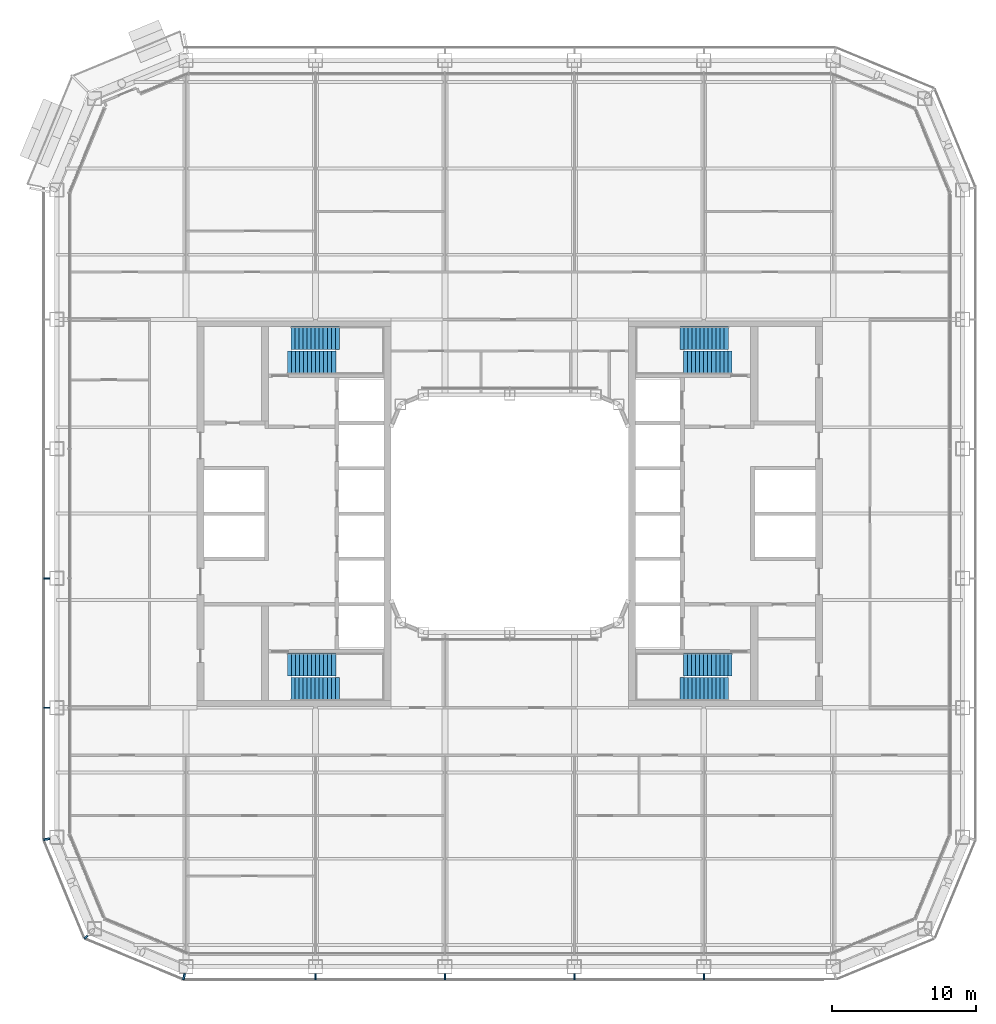
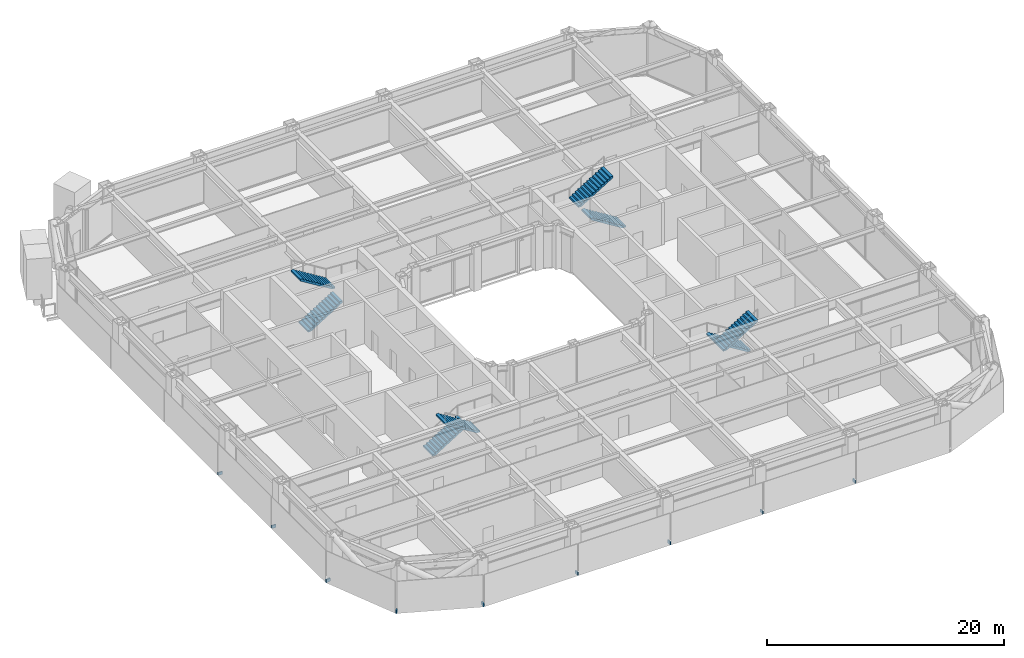
# One storey, part 16 of 28: 9 discrete accessories, 8 stair flights, 4 elements without a shape of their own.
"""IFC4 building model written with IfcOpenShell, lengths in metres."""

from ifc_helpers import new_model, si_unit, direction, frame, origin, origin_2d, place, context, subcontext, project, spatial, polyline, rectangle, outline, extrude, material, type_object, element, aggregate, save


model = new_model("IFC4")

# Units and contexts
model_context = context("Model", 3, precision=1e-05, world=origin(), true_north=direction((0.0, 1.0)))
body_context = subcontext(model_context, "Body", "Model", "MODEL_VIEW")
ifc_project = project(units=[si_unit("LENGTHUNIT", "METRE"), si_unit("AREAUNIT", "SQUARE_METRE"), si_unit("VOLUMEUNIT", "CUBIC_METRE"), si_unit("PLANEANGLEUNIT", "RADIAN"), si_unit("MASSUNIT", "GRAM", prefix="KILO")], contexts=[model_context])

# Site, building, storey
site_placement = place(None, origin())
site = spatial("IfcSite", under=ifc_project, at=site_placement, CompositionType="ELEMENT")
building_placement = place(site_placement, origin())
building = spatial("IfcBuilding", under=site, at=building_placement, Name="Siwar Civic Tower", CompositionType="ELEMENT")
storey_placement = place(building_placement, frame((0.0, 0.0, 85.199951171875)))
storey = spatial("IfcBuildingStorey", under=building, at=storey_placement, Name="L18", CompositionType="ELEMENT", Elevation=85.199951171875)

# Stair, stair flights
ifc_material_1 = material(Name="Concrete C40/50", Category="concrete")
stair_type = type_object("IfcStairType", Name="CORE-STAIR", PredefinedType="TWO_STRAIGHT_RUN_STAIR", material=ifc_material_1)
stair_1_placement = place(storey_placement, origin())
stair_1 = element("IfcStair", 1, at=stair_1_placement, inside=storey, type_object=stair_type, Name="Exit stair ST1", PredefinedType="TWO_STRAIGHT_RUN_STAIR")
ifc_material_2 = material(Name="Concrete C40/50", Category="concrete")
stair_flight_type = type_object("IfcStairFlightType", Name="CORE-STAIR-FLIGHT", PredefinedType="STRAIGHT", material=ifc_material_2)
stair_flight_1_placement = place(storey_placement, frame((-15.449951171875, 10.5, 0.0), z_axis=(0.0, 0.0, 1.0), x_axis=(1.0, 0.0, 0.0)))
stair_flight_1 = element("IfcStairFlight", 2, at=stair_flight_1_placement, type_object=stair_flight_type, Name="ST1 flight 1", NumberOfRisers=13, NumberOfTreads=12, PredefinedType="STRAIGHT", RiserHeight=0.173076923, TreadLength=0.28, context=body_context, shape_type="SweptSolid", body=[
    extrude(outline(polyline([(0.0, 0.0), (0.0, 0.173095703125), (0.280029296875, 0.173095703125), (0.280029296875, 0.34619140625), (0.56005859375, 0.34619140625), (0.56005859375, 0.519287109375), (0.840087890625, 0.519287109375), (0.840087890625, 0.6923828125), (1.1201171875, 0.6923828125), (1.1201171875, 0.865478515625), (1.39990234375, 0.865478515625), (1.39990234375, 1.03857421875), (1.679931640625, 1.03857421875), (1.679931640625, 1.21142578125), (1.9599609375, 1.21142578125), (1.9599609375, 1.384521484375), (2.239990234375, 1.384521484375), (2.239990234375, 1.5576171875), (2.52001953125, 1.5576171875), (2.52001953125, 1.730712890625), (2.800048828125, 1.730712890625), (2.800048828125, 1.90380859375), (3.080078125, 1.90380859375), (3.080078125, 2.076904296875), (3.360107421875, 2.076904296875), (3.360107421875, 2.25), (3.360107421875, 1.900634765625), (0.28515625, 0.0), (0.0, 0.0)])), frame((0.0, 0.800048828125, 0.0), z_axis=(0.0, -1.0, 0.0), x_axis=(1.0, 0.0, 0.0)), (0.0, 0.0, 1.0), 1.60009765625),
])
stair_flight_2_placement = place(storey_placement, frame((-11.840087890625, 12.199951171875, 2.25), z_axis=(0.0, 0.0, 1.0), x_axis=(-1.0, 0.0, 0.0)))
stair_flight_2 = element("IfcStairFlight", 3, at=stair_flight_2_placement, type_object=stair_flight_type, Name="ST1 flight 2", NumberOfRisers=13, NumberOfTreads=12, PredefinedType="STRAIGHT", RiserHeight=0.173076923, TreadLength=0.28, context=body_context, shape_type="SweptSolid", body=[
    extrude(outline(polyline([(0.0, 0.0), (0.0, 0.173095703125), (0.280029296875, 0.173095703125), (0.280029296875, 0.34619140625), (0.56005859375, 0.34619140625), (0.56005859375, 0.519287109375), (0.840087890625, 0.519287109375), (0.840087890625, 0.6923828125), (1.1201171875, 0.6923828125), (1.1201171875, 0.865478515625), (1.39990234375, 0.865478515625), (1.39990234375, 1.03857421875), (1.679931640625, 1.03857421875), (1.679931640625, 1.21142578125), (1.9599609375, 1.21142578125), (1.9599609375, 1.384521484375), (2.239990234375, 1.384521484375), (2.239990234375, 1.5576171875), (2.52001953125, 1.5576171875), (2.52001953125, 1.730712890625), (2.800048828125, 1.730712890625), (2.800048828125, 1.90380859375), (3.080078125, 1.90380859375), (3.080078125, 2.076904296875), (3.360107421875, 2.076904296875), (3.360107421875, 2.25), (3.360107421875, 1.900634765625), (0.28515625, 0.0), (0.0, 0.0)])), frame((0.0, 0.800048828125, 0.0), z_axis=(0.0, -1.0, 0.0), x_axis=(1.0, 0.0, 0.0)), (0.0, 0.0, 1.0), 1.60009765625),
])
aggregate(stair_1, [stair_flight_1, stair_flight_2])

stair_2_placement = place(storey_placement, origin())
stair_2 = element("IfcStair", 4, at=stair_2_placement, inside=storey, type_object=stair_type, Name="Exit stair ST2", PredefinedType="TWO_STRAIGHT_RUN_STAIR")
stair_flight_3_placement = place(storey_placement, frame((-15.449951171875, -10.5, 0.0), z_axis=(0.0, 0.0, 1.0), x_axis=(1.0, 0.0, 0.0)))
stair_flight_3 = element("IfcStairFlight", 5, at=stair_flight_3_placement, type_object=stair_flight_type, Name="ST2 flight 1", NumberOfRisers=13, NumberOfTreads=12, PredefinedType="STRAIGHT", RiserHeight=0.173076923, TreadLength=0.28, context=body_context, shape_type="SweptSolid", body=[
    extrude(outline(polyline([(0.0, 0.0), (0.0, 0.173095703125), (0.280029296875, 0.173095703125), (0.280029296875, 0.34619140625), (0.56005859375, 0.34619140625), (0.56005859375, 0.519287109375), (0.840087890625, 0.519287109375), (0.840087890625, 0.6923828125), (1.1201171875, 0.6923828125), (1.1201171875, 0.865478515625), (1.39990234375, 0.865478515625), (1.39990234375, 1.03857421875), (1.679931640625, 1.03857421875), (1.679931640625, 1.21142578125), (1.9599609375, 1.21142578125), (1.9599609375, 1.384521484375), (2.239990234375, 1.384521484375), (2.239990234375, 1.5576171875), (2.52001953125, 1.5576171875), (2.52001953125, 1.730712890625), (2.800048828125, 1.730712890625), (2.800048828125, 1.90380859375), (3.080078125, 1.90380859375), (3.080078125, 2.076904296875), (3.360107421875, 2.076904296875), (3.360107421875, 2.25), (3.360107421875, 1.900634765625), (0.28515625, 0.0), (0.0, 0.0)])), frame((0.0, 0.800048828125, 0.0), z_axis=(0.0, -1.0, 0.0), x_axis=(1.0, 0.0, 0.0)), (0.0, 0.0, 1.0), 1.60009765625),
])
stair_flight_4_placement = place(storey_placement, frame((-11.840087890625, -12.199951171875, 2.25), z_axis=(0.0, 0.0, 1.0), x_axis=(-1.0, 0.0, 0.0)))
stair_flight_4 = element("IfcStairFlight", 6, at=stair_flight_4_placement, type_object=stair_flight_type, Name="ST2 flight 2", NumberOfRisers=13, NumberOfTreads=12, PredefinedType="STRAIGHT", RiserHeight=0.173076923, TreadLength=0.28, context=body_context, shape_type="SweptSolid", body=[
    extrude(outline(polyline([(0.0, 0.0), (0.0, 0.173095703125), (0.280029296875, 0.173095703125), (0.280029296875, 0.34619140625), (0.56005859375, 0.34619140625), (0.56005859375, 0.519287109375), (0.840087890625, 0.519287109375), (0.840087890625, 0.6923828125), (1.1201171875, 0.6923828125), (1.1201171875, 0.865478515625), (1.39990234375, 0.865478515625), (1.39990234375, 1.03857421875), (1.679931640625, 1.03857421875), (1.679931640625, 1.21142578125), (1.9599609375, 1.21142578125), (1.9599609375, 1.384521484375), (2.239990234375, 1.384521484375), (2.239990234375, 1.5576171875), (2.52001953125, 1.5576171875), (2.52001953125, 1.730712890625), (2.800048828125, 1.730712890625), (2.800048828125, 1.90380859375), (3.080078125, 1.90380859375), (3.080078125, 2.076904296875), (3.360107421875, 2.076904296875), (3.360107421875, 2.25), (3.360107421875, 1.900634765625), (0.28515625, 0.0), (0.0, 0.0)])), frame((0.0, 0.800048828125, 0.0), z_axis=(0.0, -1.0, 0.0), x_axis=(1.0, 0.0, 0.0)), (0.0, 0.0, 1.0), 1.60009765625),
])
aggregate(stair_2, [stair_flight_3, stair_flight_4])

stair_3_placement = place(storey_placement, origin())
stair_3 = element("IfcStair", 7, at=stair_3_placement, inside=storey, type_object=stair_type, Name="Exit stair ST3", PredefinedType="TWO_STRAIGHT_RUN_STAIR")
stair_flight_5_placement = place(storey_placement, frame((15.449951171875, 10.5, 0.0), z_axis=(0.0, 0.0, 1.0), x_axis=(-1.0, 0.0, 0.0)))
stair_flight_5 = element("IfcStairFlight", 8, at=stair_flight_5_placement, type_object=stair_flight_type, Name="ST3 flight 1", NumberOfRisers=13, NumberOfTreads=12, PredefinedType="STRAIGHT", RiserHeight=0.173076923, TreadLength=0.28, context=body_context, shape_type="SweptSolid", body=[
    extrude(outline(polyline([(0.0, 0.0), (0.0, 0.173095703125), (0.280029296875, 0.173095703125), (0.280029296875, 0.34619140625), (0.56005859375, 0.34619140625), (0.56005859375, 0.519287109375), (0.840087890625, 0.519287109375), (0.840087890625, 0.6923828125), (1.1201171875, 0.6923828125), (1.1201171875, 0.865478515625), (1.39990234375, 0.865478515625), (1.39990234375, 1.03857421875), (1.679931640625, 1.03857421875), (1.679931640625, 1.21142578125), (1.9599609375, 1.21142578125), (1.9599609375, 1.384521484375), (2.239990234375, 1.384521484375), (2.239990234375, 1.5576171875), (2.52001953125, 1.5576171875), (2.52001953125, 1.730712890625), (2.800048828125, 1.730712890625), (2.800048828125, 1.90380859375), (3.080078125, 1.90380859375), (3.080078125, 2.076904296875), (3.360107421875, 2.076904296875), (3.360107421875, 2.25), (3.360107421875, 1.900634765625), (0.28515625, 0.0), (0.0, 0.0)])), frame((0.0, 0.800048828125, 0.0), z_axis=(0.0, -1.0, 0.0), x_axis=(1.0, 0.0, 0.0)), (0.0, 0.0, 1.0), 1.60009765625),
])
stair_flight_6_placement = place(storey_placement, frame((11.840087890625, 12.199951171875, 2.25), z_axis=(0.0, 0.0, 1.0), x_axis=(1.0, 0.0, 0.0)))
stair_flight_6 = element("IfcStairFlight", 9, at=stair_flight_6_placement, type_object=stair_flight_type, Name="ST3 flight 2", NumberOfRisers=13, NumberOfTreads=12, PredefinedType="STRAIGHT", RiserHeight=0.173076923, TreadLength=0.28, context=body_context, shape_type="SweptSolid", body=[
    extrude(outline(polyline([(0.0, 0.0), (0.0, 0.173095703125), (0.280029296875, 0.173095703125), (0.280029296875, 0.34619140625), (0.56005859375, 0.34619140625), (0.56005859375, 0.519287109375), (0.840087890625, 0.519287109375), (0.840087890625, 0.6923828125), (1.1201171875, 0.6923828125), (1.1201171875, 0.865478515625), (1.39990234375, 0.865478515625), (1.39990234375, 1.03857421875), (1.679931640625, 1.03857421875), (1.679931640625, 1.21142578125), (1.9599609375, 1.21142578125), (1.9599609375, 1.384521484375), (2.239990234375, 1.384521484375), (2.239990234375, 1.5576171875), (2.52001953125, 1.5576171875), (2.52001953125, 1.730712890625), (2.800048828125, 1.730712890625), (2.800048828125, 1.90380859375), (3.080078125, 1.90380859375), (3.080078125, 2.076904296875), (3.360107421875, 2.076904296875), (3.360107421875, 2.25), (3.360107421875, 1.900634765625), (0.28515625, 0.0), (0.0, 0.0)])), frame((0.0, 0.800048828125, 0.0), z_axis=(0.0, -1.0, 0.0), x_axis=(1.0, 0.0, 0.0)), (0.0, 0.0, 1.0), 1.60009765625),
])
aggregate(stair_3, [stair_flight_5, stair_flight_6])

stair_4_placement = place(storey_placement, origin())
stair_4 = element("IfcStair", 10, at=stair_4_placement, inside=storey, type_object=stair_type, Name="Exit stair ST4", PredefinedType="TWO_STRAIGHT_RUN_STAIR")
stair_flight_7_placement = place(storey_placement, frame((15.449951171875, -10.5, 0.0), z_axis=(0.0, 0.0, 1.0), x_axis=(-1.0, 0.0, 0.0)))
stair_flight_7 = element("IfcStairFlight", 11, at=stair_flight_7_placement, type_object=stair_flight_type, Name="ST4 flight 1", NumberOfRisers=13, NumberOfTreads=12, PredefinedType="STRAIGHT", RiserHeight=0.173076923, TreadLength=0.28, context=body_context, shape_type="SweptSolid", body=[
    extrude(outline(polyline([(0.0, 0.0), (0.0, 0.173095703125), (0.280029296875, 0.173095703125), (0.280029296875, 0.34619140625), (0.56005859375, 0.34619140625), (0.56005859375, 0.519287109375), (0.840087890625, 0.519287109375), (0.840087890625, 0.6923828125), (1.1201171875, 0.6923828125), (1.1201171875, 0.865478515625), (1.39990234375, 0.865478515625), (1.39990234375, 1.03857421875), (1.679931640625, 1.03857421875), (1.679931640625, 1.21142578125), (1.9599609375, 1.21142578125), (1.9599609375, 1.384521484375), (2.239990234375, 1.384521484375), (2.239990234375, 1.5576171875), (2.52001953125, 1.5576171875), (2.52001953125, 1.730712890625), (2.800048828125, 1.730712890625), (2.800048828125, 1.90380859375), (3.080078125, 1.90380859375), (3.080078125, 2.076904296875), (3.360107421875, 2.076904296875), (3.360107421875, 2.25), (3.360107421875, 1.900634765625), (0.28515625, 0.0), (0.0, 0.0)])), frame((0.0, 0.800048828125, 0.0), z_axis=(0.0, -1.0, 0.0), x_axis=(1.0, 0.0, 0.0)), (0.0, 0.0, 1.0), 1.60009765625),
])
stair_flight_8_placement = place(storey_placement, frame((11.840087890625, -12.199951171875, 2.25), z_axis=(0.0, 0.0, 1.0), x_axis=(1.0, 0.0, 0.0)))
stair_flight_8 = element("IfcStairFlight", 12, at=stair_flight_8_placement, type_object=stair_flight_type, Name="ST4 flight 2", NumberOfRisers=13, NumberOfTreads=12, PredefinedType="STRAIGHT", RiserHeight=0.173076923, TreadLength=0.28, context=body_context, shape_type="SweptSolid", body=[
    extrude(outline(polyline([(0.0, 0.0), (0.0, 0.173095703125), (0.280029296875, 0.173095703125), (0.280029296875, 0.34619140625), (0.56005859375, 0.34619140625), (0.56005859375, 0.519287109375), (0.840087890625, 0.519287109375), (0.840087890625, 0.6923828125), (1.1201171875, 0.6923828125), (1.1201171875, 0.865478515625), (1.39990234375, 0.865478515625), (1.39990234375, 1.03857421875), (1.679931640625, 1.03857421875), (1.679931640625, 1.21142578125), (1.9599609375, 1.21142578125), (1.9599609375, 1.384521484375), (2.239990234375, 1.384521484375), (2.239990234375, 1.5576171875), (2.52001953125, 1.5576171875), (2.52001953125, 1.730712890625), (2.800048828125, 1.730712890625), (2.800048828125, 1.90380859375), (3.080078125, 1.90380859375), (3.080078125, 2.076904296875), (3.360107421875, 2.076904296875), (3.360107421875, 2.25), (3.360107421875, 1.900634765625), (0.28515625, 0.0), (0.0, 0.0)])), frame((0.0, 0.800048828125, 0.0), z_axis=(0.0, -1.0, 0.0), x_axis=(1.0, 0.0, 0.0)), (0.0, 0.0, 1.0), 1.60009765625),
])
aggregate(stair_4, [stair_flight_7, stair_flight_8])

# Discrete accessories
ifc_material_3 = material(Name="Stainless steel 316", Category="steel")
discrete_accessory_type = type_object("IfcDiscreteAccessoryType", Name="ENV-BRACKET", PredefinedType="BRACKET", material=ifc_material_3)
for number, where, z_axis, x_axis, name in (
    (13, (-13.5, -32.18994140625, -0.14990234375), (0.0, 0.0, 1.0), (0.0, -1.0, 0.0), "Bracket outer skin joint S-01"),
    (14, (-4.5, -32.18994140625, -0.14990234375), (0.0, 0.0, 1.0), (0.0, -1.0, 0.0), "Bracket outer skin joint S-02"),
    (15, (4.5, -32.18994140625, -0.14990234375), (0.0, 0.0, 1.0), (0.0, -1.0, 0.0), "Bracket outer skin joint S-03"),
    (16, (13.5, -32.18994140625, -0.14990234375), (0.0, 0.0, 1.0), (0.0, -1.0, 0.0), "Bracket outer skin joint S-04"),
):
    element("IfcDiscreteAccessory", number, at=place(storey_placement, frame(where, z_axis=z_axis, x_axis=x_axis)), inside=storey, type_object=discrete_accessory_type, Name=name, PredefinedType="BRACKET", context=body_context, shape_type="SweptSolid", body=[
        extrude(rectangle(XDim=0.419921875, YDim=0.10009765625, at=origin_2d()), origin(), (0.0, 0.0, 1.0), 0.300048828125),
    ])
for number, where, z_axis, x_axis, name in (
    (17, (-22.63720703125, -32.190185546875, -0.14990234375), (0.0, 0.0, 1.0), (-0.195090322016, -0.980785280403, 0.0), "Bracket outer skin joint V00"),
    (18, (-32.190185546875, -22.63720703125, -0.14990234375), (0.0, 0.0, 1.0), (-0.980785280403, -0.195090322016, 0.0), "Bracket outer skin joint V10"),
):
    element("IfcDiscreteAccessory", number, at=place(storey_placement, frame(where, z_axis=z_axis, x_axis=x_axis)), inside=storey, type_object=discrete_accessory_type, Name=name, PredefinedType="BRACKET", context=body_context, shape_type="SweptSolid", body=[
        extrude(rectangle(XDim=0.427734375, YDim=0.13720703125, at=origin_2d()), origin(), (0.0, 0.0, 1.0), 0.300048828125),
    ])
discrete_accessory_placement = place(storey_placement, frame((-29.451416015625, -29.451416015625, -0.14990234375), z_axis=(0.0, 0.0, 1.0), x_axis=(-0.707106781187, -0.707106781187, 0.0)))
element("IfcDiscreteAccessory", 19, at=discrete_accessory_placement, inside=storey, type_object=discrete_accessory_type, Name="Bracket outer skin joint V11", PredefinedType="BRACKET", context=body_context, shape_type="SweptSolid", body=[
    extrude(rectangle(XDim=0.287109375, YDim=0.12939453125, at=origin_2d()), origin(), (0.0, 0.0, 1.0), 0.300048828125),
])
for number, where, z_axis, x_axis, name in (
    (20, (-32.18994140625, -4.5, -0.14990234375), (0.0, 0.0, 1.0), (-1.0, 0.0, 0.0), "Bracket outer skin joint W-03"),
    (21, (-32.18994140625, -13.5, -0.14990234375), (0.0, 0.0, 1.0), (-1.0, 0.0, 0.0), "Bracket outer skin joint W-04"),
):
    element("IfcDiscreteAccessory", number, at=place(storey_placement, frame(where, z_axis=z_axis, x_axis=x_axis)), inside=storey, type_object=discrete_accessory_type, Name=name, PredefinedType="BRACKET", context=body_context, shape_type="SweptSolid", body=[
        extrude(rectangle(XDim=0.419921875, YDim=0.10009765625, at=origin_2d()), origin(), (0.0, 0.0, 1.0), 0.300048828125),
    ])

save(model, "model.ifc")
